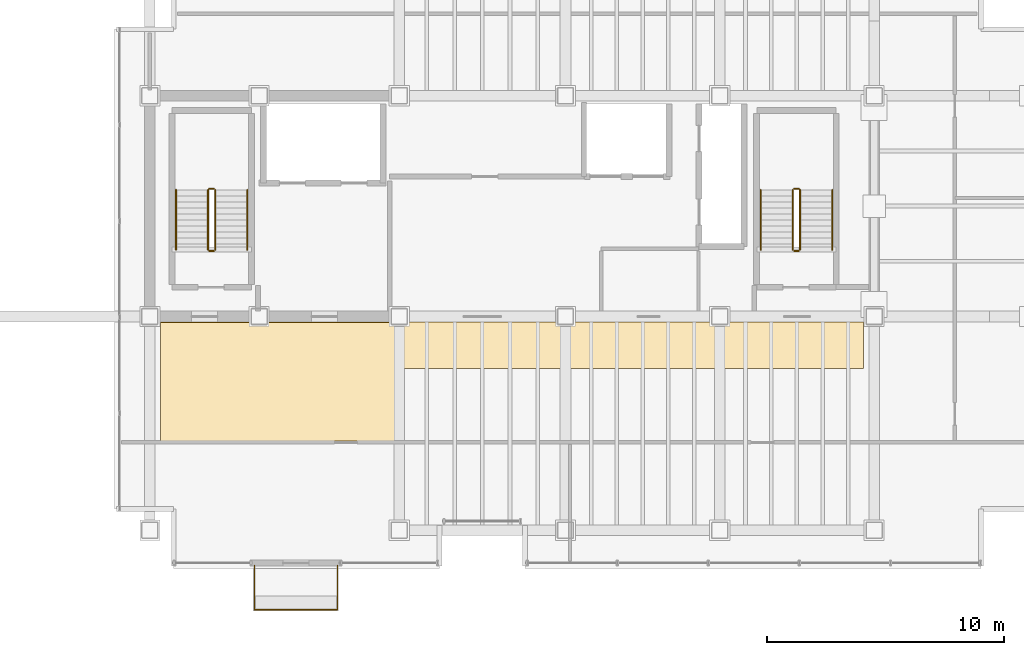
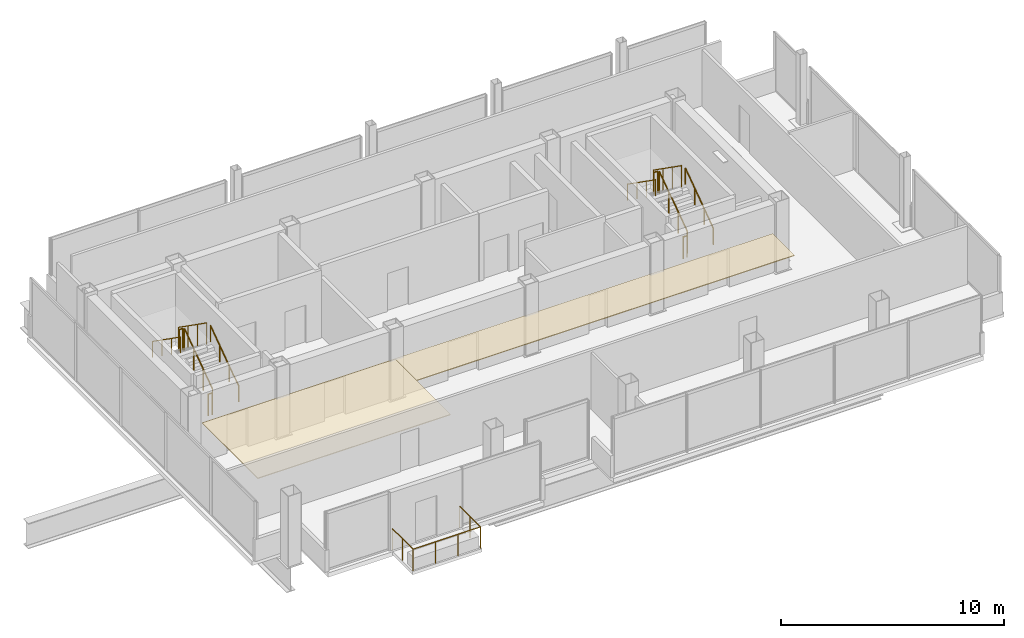
# One storey, part 17 of 17: 13 railings, 2 coverings.
"""IFC4 building model written with IfcOpenShell, lengths in metres."""

from ifc_helpers import new_model, si_unit, direction, frame, origin, origin_2d, place, context, subcontext, project, spatial, polyline, circle, outline, extrude, material, layer, layer_set, type_object, element, save


model = new_model("IFC4")

# Units and contexts
model_context = context("Model", 3, precision=1e-05, world=origin(), true_north=direction((0.0, 1.0)))
body_context = subcontext(model_context, "Body", "Model", "MODEL_VIEW")
ifc_project = project(units=[si_unit("LENGTHUNIT", "METRE"), si_unit("AREAUNIT", "SQUARE_METRE"), si_unit("VOLUMEUNIT", "CUBIC_METRE"), si_unit("PLANEANGLEUNIT", "RADIAN"), si_unit("MASSUNIT", "GRAM", prefix="KILO")], contexts=[model_context])

# Site, building, storey
site_placement = place(None, origin())
site = spatial("IfcSite", under=ifc_project, at=site_placement, CompositionType="ELEMENT")
building_placement = place(site_placement, origin())
building = spatial("IfcBuilding", under=site, at=building_placement, Name="Noeulbin Bourse Tower", CompositionType="ELEMENT")
storey_placement = place(building_placement, frame((0.0, 0.0, 281.300048828125)))
storey = spatial("IfcBuildingStorey", under=building, at=storey_placement, Name="L70", CompositionType="ELEMENT", Elevation=281.300048828125)

# Coverings
ifc_material_1 = material(Name="Perforated Mineral-Fibre Acoustic Tile")
ifc_layer_1 = layer(ifc_material_1, 0.0400390625)
ifc_layer_set_1 = layer_set([ifc_layer_1], Name="Perforated Mineral-Fibre Acoustic Tile")
covering_type_1 = type_object("IfcCoveringType", Name="COV-CEIL-ACT", PredefinedType="CEILING", material=ifc_layer_set_1)
covering_1_placement = place(storey_placement, frame((0.0, 0.0, 2.10986328125)))
element("IfcCovering", 1, at=covering_1_placement, inside=storey, type_object=covering_type_1, Name="Trading Suite Acoustic Ceiling L70", PredefinedType="CEILING", context=body_context, shape_type="SweptSolid", body=[
    extrude(outline(polyline([(13.949951171875, 23.75), (23.949951171875, 23.75), (23.949951171875, 28.75), (13.949951171875, 28.75), (13.949951171875, 23.75)])), origin(), (0.0, 0.0, 1.0), 0.0400390625),
])
ifc_material_2 = material(Name="Linear Anodised Aluminium Baffle Ceiling", Category="aluminium")
ifc_layer_2 = layer(ifc_material_2, 0.050048828125)
ifc_layer_set_2 = layer_set([ifc_layer_2], Name="Linear Anodised Aluminium Baffle Ceiling")
covering_type_2 = type_object("IfcCoveringType", Name="COV-CEIL-MTL", PredefinedType="CEILING", material=ifc_layer_set_2)
covering_2_placement = place(storey_placement, frame((0.0, 0.0, 2.10986328125)))
element("IfcCovering", 2, at=covering_2_placement, inside=storey, type_object=covering_type_2, Name="Corridor Suspended Ceiling L70", PredefinedType="CEILING", context=body_context, shape_type="SweptSolid", body=[
    extrude(outline(polyline([(13.949951171875, 26.820068359375), (43.550048828125, 26.820068359375), (43.550048828125, 28.780029296875), (13.949951171875, 28.780029296875), (13.949951171875, 26.820068359375)])), origin(), (0.0, 0.0, 1.0), 0.0400390625),
])

# Railings
ifc_material_3 = material(Name="Laminated SentryGlas and Stainless Steel 316", Category="steel")
ifc_layer_3 = layer(ifc_material_3, 0.06005859375)
ifc_layer_set_3 = layer_set([ifc_layer_3], Name="Laminated SentryGlas and Stainless Steel 316")
railing_type_1 = type_object("IfcRailingType", Name="RLG-BAL-1200", PredefinedType="BALUSTRADE", material=ifc_layer_set_3)
railing_1_placement = place(storey_placement, frame((17.89990234375, 18.52001953125, 0.0)))
element("IfcRailing", 3, at=railing_1_placement, inside=storey, type_object=railing_type_1, Name="Tree-Balcony Glazed Balustrade L70", PredefinedType="BALUSTRADE", context=body_context, shape_type="SweptSolid", body=[
    extrude(circle(Radius=0.02392578125, at=origin_2d()), frame((0.0, 0.0, 1.17578125), z_axis=(0.0, -1.0, 0.0), x_axis=(1.0, 0.0, 0.0)), (0.0, 0.0, 1.0), 1.8701171875),
    extrude(circle(Radius=0.02392578125, at=origin_2d()), frame((0.0, -1.8701171875, 1.17578125), z_axis=(1.0, 0.0, 0.0), x_axis=(0.0, 1.0, 0.0)), (0.0, 0.0, 1.0), 3.5),
    extrude(circle(Radius=0.02392578125, at=origin_2d()), frame((3.5, -1.8701171875, 1.17578125), z_axis=(0.0, 1.0, 0.0), x_axis=(-1.0, 0.0, 0.0)), (0.0, 0.0, 1.0), 1.8701171875),
    extrude(circle(Radius=0.02099609375, at=origin_2d()), origin(), (0.0, 0.0, 1.0), 1.15185546875),
    extrude(circle(Radius=0.02099609375, at=origin_2d()), frame((0.0, -0.93505859375, 0.0)), (0.0, 0.0, 1.0), 1.15185546875),
    extrude(circle(Radius=0.02099609375, at=origin_2d()), frame((0.0, -1.8701171875, 0.0)), (0.0, 0.0, 1.0), 1.15185546875),
    extrude(circle(Radius=0.02099609375, at=origin_2d()), frame((1.166748046875, -1.8701171875, 0.0)), (0.0, 0.0, 1.0), 1.15185546875),
    extrude(circle(Radius=0.02099609375, at=origin_2d()), frame((2.333251953125, -1.8701171875, 0.0)), (0.0, 0.0, 1.0), 1.15185546875),
    extrude(circle(Radius=0.02099609375, at=origin_2d()), frame((3.5, -1.8701171875, 0.0)), (0.0, 0.0, 1.0), 1.15185546875),
    extrude(circle(Radius=0.02099609375, at=origin_2d()), frame((3.5, -0.93505859375, 0.0)), (0.0, 0.0, 1.0), 1.15185546875),
    extrude(circle(Radius=0.02099609375, at=origin_2d()), frame((3.5, 0.0, 0.0)), (0.0, 0.0, 1.0), 1.15185546875),
])
ifc_material_4 = material(Name="Painted Tubular Steel S355", Category="steel")
ifc_layer_4 = layer(ifc_material_4, 0.048095703125)
ifc_layer_set_4 = layer_set([ifc_layer_4], Name="Painted Tubular Steel S355")
railing_type_2 = type_object("IfcRailingType", Name="RLG-STR-GRD", PredefinedType="GUARDRAIL", material=ifc_layer_set_4)
railing_2_placement = place(storey_placement, frame((16.25, 31.81005859375, 0.17724609375)))
element("IfcRailing", 4, at=railing_2_placement, inside=storey, type_object=railing_type_2, Name="L70 ST-1 stair guard 1", PredefinedType="GUARDRAIL", context=body_context, shape_type="SweptSolid", body=[
    extrude(circle(Radius=0.02392578125, at=origin_2d()), frame((0.0, 0.0, 1.17578125), z_axis=(0.0, 0.817904474719, 0.575354039036), x_axis=(-1.0, 0.0, 0.0)), (0.0, 0.0, 1.0), 3.0810546875),
    extrude(circle(Radius=0.02099609375, at=origin_2d()), origin(), (0.0, 0.0, 1.0), 1.15185546875),
    extrude(circle(Radius=0.02099609375, at=origin_2d()), frame((0.0, 0.840087890625, 0.5908203125)), (0.0, 0.0, 1.0), 1.15185546875),
    extrude(circle(Radius=0.02099609375, at=origin_2d()), frame((0.0, 1.679931640625, 1.181884765625)), (0.0, 0.0, 1.0), 1.15185546875),
    extrude(circle(Radius=0.02099609375, at=origin_2d()), frame((0.0, 2.52001953125, 1.772705078125)), (0.0, 0.0, 1.0), 1.15185546875),
])
railing_3_placement = place(storey_placement, frame((16.199951171875, 34.3798828125, 1.949951171875)))
element("IfcRailing", 5, at=railing_3_placement, inside=storey, type_object=railing_type_2, Name="L70 ST-1 stair guard 2", PredefinedType="GUARDRAIL", context=body_context, shape_type="SweptSolid", body=[
    extrude(circle(Radius=0.02392578125, at=origin_2d()), frame((0.0, 0.0, 1.17578125), z_axis=(-1.0, 0.0, 0.0), x_axis=(0.0, -1.0, 0.0)), (0.0, 0.0, 1.0), 0.199951171875),
    extrude(circle(Radius=0.02099609375, at=origin_2d()), origin(), (0.0, 0.0, 1.0), 1.15185546875),
    extrude(circle(Radius=0.02099609375, at=origin_2d()), frame((-0.199951171875, 0.0, 0.0)), (0.0, 0.0, 1.0), 1.15185546875),
])
railing_4_placement = place(storey_placement, frame((15.949951171875, 34.330078125, 2.127197265625)))
element("IfcRailing", 6, at=railing_4_placement, inside=storey, type_object=railing_type_2, Name="L70 ST-1 stair guard 3", PredefinedType="GUARDRAIL", context=body_context, shape_type="SweptSolid", body=[
    extrude(circle(Radius=0.02392578125, at=origin_2d()), frame((0.0, 0.0, 1.17578125), z_axis=(0.0, -0.817904474719, 0.575354039036), x_axis=(1.0, 0.0, 0.0)), (0.0, 0.0, 1.0), 3.0810546875),
    extrude(circle(Radius=0.02099609375, at=origin_2d()), origin(), (0.0, 0.0, 1.0), 1.15185546875),
    extrude(circle(Radius=0.02099609375, at=origin_2d()), frame((0.0, -0.840087890625, 0.5908203125)), (0.0, 0.0, 1.0), 1.15185546875),
    extrude(circle(Radius=0.02099609375, at=origin_2d()), frame((0.0, -1.679931640625, 1.181884765625)), (0.0, 0.0, 1.0), 1.15185546875),
    extrude(circle(Radius=0.02099609375, at=origin_2d()), frame((0.0, -2.52001953125, 1.772705078125)), (0.0, 0.0, 1.0), 1.15185546875),
])
railing_5_placement = place(storey_placement, frame((16.199951171875, 31.760009765625, 0.0)))
element("IfcRailing", 7, at=railing_5_placement, inside=storey, type_object=railing_type_2, Name="L70 ST-1 stair guard 4", PredefinedType="GUARDRAIL", context=body_context, shape_type="SweptSolid", body=[
    extrude(circle(Radius=0.02392578125, at=origin_2d()), frame((0.0, 0.0, 1.17578125), z_axis=(-1.0, 0.0, 0.0), x_axis=(0.0, -1.0, 0.0)), (0.0, 0.0, 1.0), 0.199951171875),
    extrude(circle(Radius=0.02099609375, at=origin_2d()), origin(), (0.0, 0.0, 1.0), 1.15185546875),
    extrude(circle(Radius=0.02099609375, at=origin_2d()), frame((-0.199951171875, 0.0, 0.0)), (0.0, 0.0, 1.0), 1.15185546875),
])
railing_6_placement = place(storey_placement, frame((40.8798828125, 31.81005859375, 0.17724609375)))
element("IfcRailing", 8, at=railing_6_placement, inside=storey, type_object=railing_type_2, Name="L70 ST-2 stair guard 1", PredefinedType="GUARDRAIL", context=body_context, shape_type="SweptSolid", body=[
    extrude(circle(Radius=0.02392578125, at=origin_2d()), frame((0.0, 0.0, 1.17578125), z_axis=(0.0, 0.817904474719, 0.575354039036), x_axis=(-1.0, 0.0, 0.0)), (0.0, 0.0, 1.0), 3.0810546875),
    extrude(circle(Radius=0.02099609375, at=origin_2d()), origin(), (0.0, 0.0, 1.0), 1.15185546875),
    extrude(circle(Radius=0.02099609375, at=origin_2d()), frame((0.0, 0.840087890625, 0.5908203125)), (0.0, 0.0, 1.0), 1.15185546875),
    extrude(circle(Radius=0.02099609375, at=origin_2d()), frame((0.0, 1.679931640625, 1.181884765625)), (0.0, 0.0, 1.0), 1.15185546875),
    extrude(circle(Radius=0.02099609375, at=origin_2d()), frame((0.0, 2.52001953125, 1.772705078125)), (0.0, 0.0, 1.0), 1.15185546875),
])
railing_7_placement = place(storey_placement, frame((40.830078125, 34.3798828125, 1.949951171875)))
element("IfcRailing", 9, at=railing_7_placement, inside=storey, type_object=railing_type_2, Name="L70 ST-2 stair guard 2", PredefinedType="GUARDRAIL", context=body_context, shape_type="SweptSolid", body=[
    extrude(circle(Radius=0.02392578125, at=origin_2d()), frame((0.0, 0.0, 1.17578125), z_axis=(-1.0, 0.0, 0.0), x_axis=(0.0, -1.0, 0.0)), (0.0, 0.0, 1.0), 0.2001953125),
    extrude(circle(Radius=0.02099609375, at=origin_2d()), origin(), (0.0, 0.0, 1.0), 1.15185546875),
    extrude(circle(Radius=0.02099609375, at=origin_2d()), frame((-0.2001953125, 0.0, 0.0)), (0.0, 0.0, 1.0), 1.15185546875),
])
railing_8_placement = place(storey_placement, frame((40.580078125, 34.330078125, 2.127197265625)))
element("IfcRailing", 10, at=railing_8_placement, inside=storey, type_object=railing_type_2, Name="L70 ST-2 stair guard 3", PredefinedType="GUARDRAIL", context=body_context, shape_type="SweptSolid", body=[
    extrude(circle(Radius=0.02392578125, at=origin_2d()), frame((0.0, 0.0, 1.17578125), z_axis=(0.0, -0.817904474719, 0.575354039036), x_axis=(1.0, 0.0, 0.0)), (0.0, 0.0, 1.0), 3.0810546875),
    extrude(circle(Radius=0.02099609375, at=origin_2d()), origin(), (0.0, 0.0, 1.0), 1.15185546875),
    extrude(circle(Radius=0.02099609375, at=origin_2d()), frame((0.0, -0.840087890625, 0.5908203125)), (0.0, 0.0, 1.0), 1.15185546875),
    extrude(circle(Radius=0.02099609375, at=origin_2d()), frame((0.0, -1.679931640625, 1.181884765625)), (0.0, 0.0, 1.0), 1.15185546875),
    extrude(circle(Radius=0.02099609375, at=origin_2d()), frame((0.0, -2.52001953125, 1.772705078125)), (0.0, 0.0, 1.0), 1.15185546875),
])
railing_9_placement = place(storey_placement, frame((40.830078125, 31.760009765625, 0.0)))
element("IfcRailing", 11, at=railing_9_placement, inside=storey, type_object=railing_type_2, Name="L70 ST-2 stair guard 4", PredefinedType="GUARDRAIL", context=body_context, shape_type="SweptSolid", body=[
    extrude(circle(Radius=0.02392578125, at=origin_2d()), frame((0.0, 0.0, 1.17578125), z_axis=(-1.0, 0.0, 0.0), x_axis=(0.0, -1.0, 0.0)), (0.0, 0.0, 1.0), 0.2001953125),
    extrude(circle(Radius=0.02099609375, at=origin_2d()), origin(), (0.0, 0.0, 1.0), 1.15185546875),
    extrude(circle(Radius=0.02099609375, at=origin_2d()), frame((-0.2001953125, 0.0, 0.0)), (0.0, 0.0, 1.0), 1.15185546875),
])
ifc_material_5 = material(Name="Brushed Stainless Steel 316", Category="steel")
ifc_layer_5 = layer(ifc_material_5, 0.048095703125)
ifc_layer_set_5 = layer_set([ifc_layer_5], Name="Brushed Stainless Steel 316")
railing_type_3 = type_object("IfcRailingType", Name="RLG-STR-HND", PredefinedType="HANDRAIL", material=ifc_layer_set_5)
railing_10_placement = place(storey_placement, frame((17.60009765625, 31.81005859375, 0.17724609375)))
element("IfcRailing", 12, at=railing_10_placement, inside=storey, type_object=railing_type_3, Name="L70 ST-1 stair handrail 1", PredefinedType="HANDRAIL", context=body_context, shape_type="SweptSolid", body=[
    extrude(circle(Radius=0.02392578125, at=origin_2d()), frame((0.0, 0.0, 0.8759765625), z_axis=(0.0, 0.817904474719, 0.575354039036), x_axis=(-1.0, 0.0, 0.0)), (0.0, 0.0, 1.0), 3.0810546875),
    extrude(circle(Radius=0.02099609375, at=origin_2d()), origin(), (0.0, 0.0, 1.0), 0.851806640625),
    extrude(circle(Radius=0.02099609375, at=origin_2d()), frame((0.0, 0.840087890625, 0.5908203125)), (0.0, 0.0, 1.0), 0.851806640625),
    extrude(circle(Radius=0.02099609375, at=origin_2d()), frame((0.0, 1.679931640625, 1.181884765625)), (0.0, 0.0, 1.0), 0.851806640625),
    extrude(circle(Radius=0.02099609375, at=origin_2d()), frame((0.0, 2.52001953125, 1.772705078125)), (0.0, 0.0, 1.0), 0.851806640625),
])
railing_11_placement = place(storey_placement, frame((14.60009765625, 34.330078125, 2.127197265625)))
element("IfcRailing", 13, at=railing_11_placement, inside=storey, type_object=railing_type_3, Name="L70 ST-1 stair handrail 2", PredefinedType="HANDRAIL", context=body_context, shape_type="SweptSolid", body=[
    extrude(circle(Radius=0.02392578125, at=origin_2d()), frame((0.0, 0.0, 0.8759765625), z_axis=(0.0, -0.817904474719, 0.575354039036), x_axis=(1.0, 0.0, 0.0)), (0.0, 0.0, 1.0), 3.0810546875),
    extrude(circle(Radius=0.02099609375, at=origin_2d()), origin(), (0.0, 0.0, 1.0), 0.851806640625),
    extrude(circle(Radius=0.02099609375, at=origin_2d()), frame((0.0, -0.840087890625, 0.5908203125)), (0.0, 0.0, 1.0), 0.851806640625),
    extrude(circle(Radius=0.02099609375, at=origin_2d()), frame((0.0, -1.679931640625, 1.181884765625)), (0.0, 0.0, 1.0), 0.851806640625),
    extrude(circle(Radius=0.02099609375, at=origin_2d()), frame((0.0, -2.52001953125, 1.772705078125)), (0.0, 0.0, 1.0), 0.851806640625),
])
railing_12_placement = place(storey_placement, frame((42.22998046875, 31.81005859375, 0.17724609375)))
element("IfcRailing", 14, at=railing_12_placement, inside=storey, type_object=railing_type_3, Name="L70 ST-2 stair handrail 1", PredefinedType="HANDRAIL", context=body_context, shape_type="SweptSolid", body=[
    extrude(circle(Radius=0.02392578125, at=origin_2d()), frame((0.0, 0.0, 0.8759765625), z_axis=(0.0, 0.817904474719, 0.575354039036), x_axis=(-1.0, 0.0, 0.0)), (0.0, 0.0, 1.0), 3.0810546875),
    extrude(circle(Radius=0.02099609375, at=origin_2d()), origin(), (0.0, 0.0, 1.0), 0.851806640625),
    extrude(circle(Radius=0.02099609375, at=origin_2d()), frame((0.0, 0.840087890625, 0.5908203125)), (0.0, 0.0, 1.0), 0.851806640625),
    extrude(circle(Radius=0.02099609375, at=origin_2d()), frame((0.0, 1.679931640625, 1.181884765625)), (0.0, 0.0, 1.0), 0.851806640625),
    extrude(circle(Radius=0.02099609375, at=origin_2d()), frame((0.0, 2.52001953125, 1.772705078125)), (0.0, 0.0, 1.0), 0.851806640625),
])
railing_13_placement = place(storey_placement, frame((39.22998046875, 34.330078125, 2.127197265625)))
element("IfcRailing", 15, at=railing_13_placement, inside=storey, type_object=railing_type_3, Name="L70 ST-2 stair handrail 2", PredefinedType="HANDRAIL", context=body_context, shape_type="SweptSolid", body=[
    extrude(circle(Radius=0.02392578125, at=origin_2d()), frame((0.0, 0.0, 0.8759765625), z_axis=(0.0, -0.817904474719, 0.575354039036), x_axis=(1.0, 0.0, 0.0)), (0.0, 0.0, 1.0), 3.0810546875),
    extrude(circle(Radius=0.02099609375, at=origin_2d()), origin(), (0.0, 0.0, 1.0), 0.851806640625),
    extrude(circle(Radius=0.02099609375, at=origin_2d()), frame((0.0, -0.840087890625, 0.5908203125)), (0.0, 0.0, 1.0), 0.851806640625),
    extrude(circle(Radius=0.02099609375, at=origin_2d()), frame((0.0, -1.679931640625, 1.181884765625)), (0.0, 0.0, 1.0), 0.851806640625),
    extrude(circle(Radius=0.02099609375, at=origin_2d()), frame((0.0, -2.52001953125, 1.772705078125)), (0.0, 0.0, 1.0), 0.851806640625),
])

save(model, "model.ifc")
